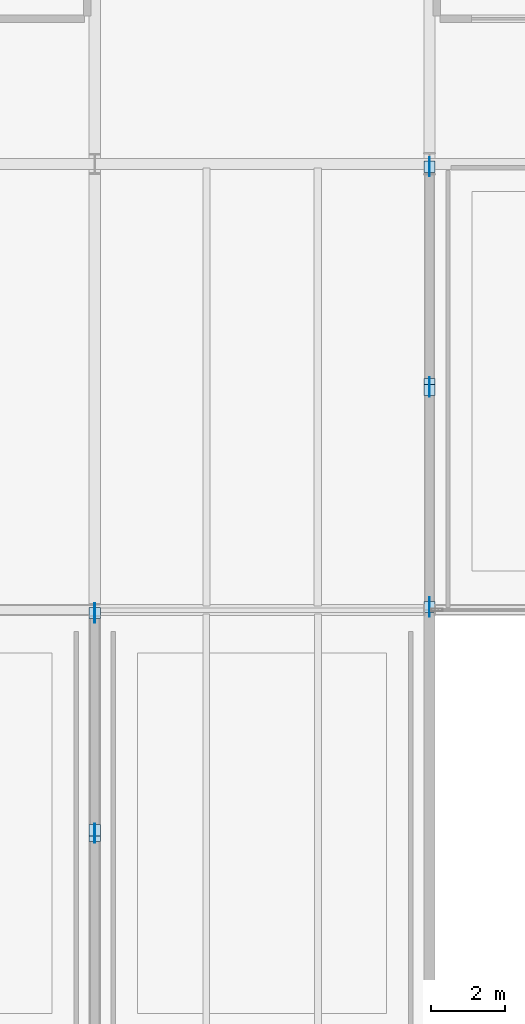
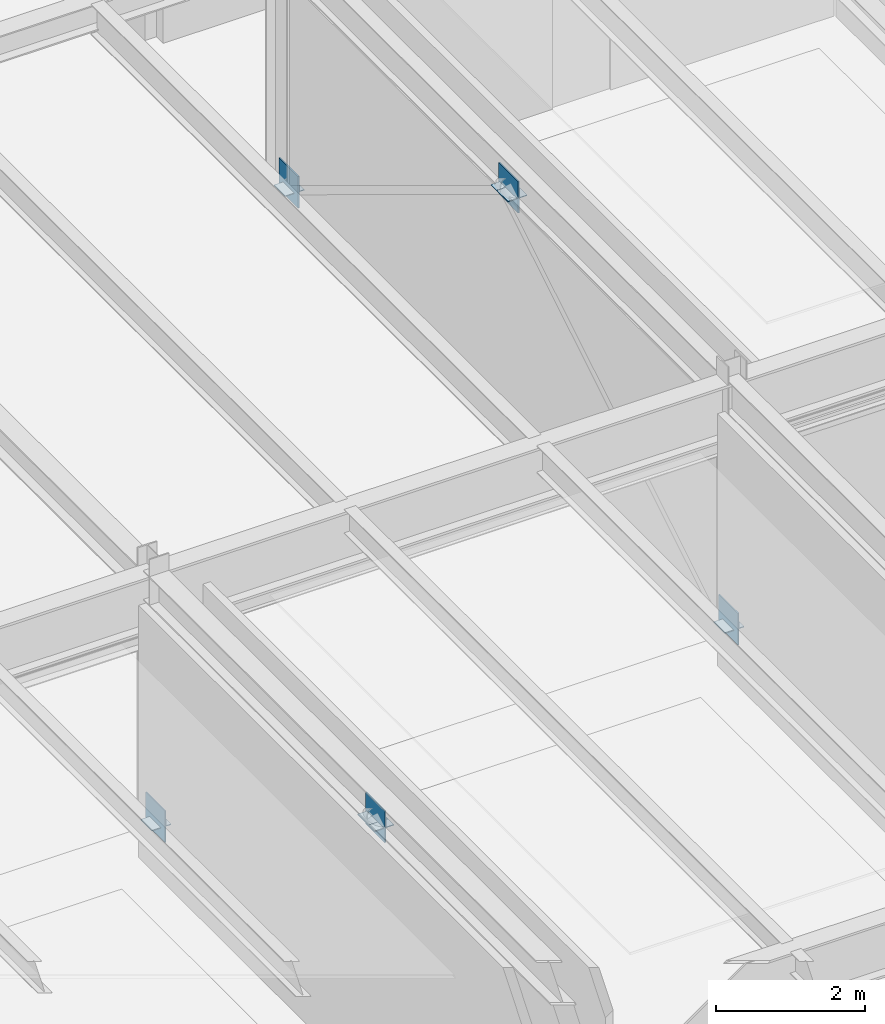
# One storey, part 106 of 127: 12 plates.
"""IFC4 building model written with IfcOpenShell, lengths in metres."""

from ifc_helpers import new_model, si_unit, direction, frame, origin, origin_2d, place, context, subcontext, project, spatial, rectangle, extrude, material, layer, layer_set, type_object, element, save


model = new_model("IFC4")

# Units and contexts
model_context = context("Model", 3, precision=1e-05, world=origin(), true_north=direction((0.0, 1.0)))
body_context = subcontext(model_context, "Body", "Model", "MODEL_VIEW")
ifc_project = project(units=[si_unit("LENGTHUNIT", "METRE"), si_unit("AREAUNIT", "SQUARE_METRE"), si_unit("VOLUMEUNIT", "CUBIC_METRE"), si_unit("PLANEANGLEUNIT", "RADIAN"), si_unit("MASSUNIT", "GRAM", prefix="KILO")], contexts=[model_context])

# Site, building, storey
site_placement = place(None, origin())
site = spatial("IfcSite", under=ifc_project, at=site_placement, CompositionType="ELEMENT")
building_placement = place(site_placement, origin())
building = spatial("IfcBuilding", under=site, at=building_placement, Name="Montelvaro Courts of Justice", CompositionType="ELEMENT")
storey_placement = place(building_placement, frame((0.0, 0.0, 5.39990234375)))
storey = spatial("IfcBuildingStorey", under=building, at=storey_placement, Name="L01", CompositionType="ELEMENT", Elevation=5.39990234375)

# Plates
ifc_material = material(Name="Steel S355", Category="steel")
ifc_layer_1 = layer(ifc_material, 0.011962890625)
ifc_layer_set_1 = layer_set([ifc_layer_1], Name="Steel S355")
plate_type_1 = type_object("IfcPlateType", Name="EndCapPlate_12", PredefinedType="USERDEFINED", material=ifc_layer_set_1)
for number, where, z_axis, x_axis, name in (
    (1, (126.0, 66.080078125, 0.07421875), (0.0, 0.0, 1.0), (1.0, 0.0, 0.0), "Brace End Cap Plate CP-01 CBF3-L01-1A"),
    (2, (126.0, 71.919921875, 3.6240234375), (0.0, 0.0, 1.0), (1.0, 0.0, 0.0), "Brace End Cap Plate CP-01 CBF3-L01-1B"),
    (3, (126.0, 77.919921875, 0.07421875), (0.0, 0.0, 1.0), (1.0, 0.0, 0.0), "Brace End Cap Plate CP-01 CBF3-L01-2A"),
    (4, (126.0, 72.080078125, 3.6240234375), (0.0, 0.0, 1.0), (1.0, 0.0, 0.0), "Brace End Cap Plate CP-01 CBF3-L01-2B"),
    (5, (117.0, 59.919921875, 3.7041015625), (0.0, 0.0, 1.0), (1.0, 0.0, 0.0), "Brace End Cap Plate CP-01 CBF4-L01-1B"),
    (6, (117.0, 65.919921875, 0.07421875), (0.0, 0.0, 1.0), (1.0, 0.0, 0.0), "Brace End Cap Plate CP-01 CBF4-L01-2A"),
    (7, (117.0, 60.080078125, 3.7041015625), (0.0, 0.0, 1.0), (1.0, 0.0, 0.0), "Brace End Cap Plate CP-01 CBF4-L01-2B"),
):
    element("IfcPlate", number, at=place(storey_placement, frame(where, z_axis=z_axis, x_axis=x_axis)), inside=storey, type_object=plate_type_1, Name=name, ObjectType="GUSSET PLATE", PredefinedType="USERDEFINED", context=body_context, shape_type="SweptSolid", body=[
        extrude(rectangle(XDim=0.300048828125, YDim=0.300048828125, at=origin_2d()), origin(), (0.0, 0.0, 1.0), 0.011962890625),
    ])
ifc_layer_2 = layer(ifc_material, 0.02001953125)
ifc_layer_set_2 = layer_set([ifc_layer_2], Name="Steel S355")
plate_type_2 = type_object("IfcPlateType", Name="GussetPlate_20", PredefinedType="USERDEFINED", material=ifc_layer_set_2)
for number, where, z_axis, x_axis, name in (
    (8, (126.0, 66.080078125, -0.099853515625), (0.0, 0.0, 1.0), (1.0, 0.0, 0.0), "Chevron Brace Base Gusset Plate GP-01 CBF3-L01-B1"),
    (9, (126.0, 77.919921875, -0.099853515625), (0.0, 0.0, 1.0), (1.0, 0.0, 0.0), "Chevron Brace Base Gusset Plate GP-01 CBF3-L01-B2"),
    (10, (126.0, 72.0, 3.41015625), (0.0, 0.0, 1.0), (1.0, 0.0, 0.0), "Chevron Brace Gusset Plate GP-01 CBF3-L01"),
    (11, (117.0, 65.919921875, -0.099853515625), (0.0, 0.0, 1.0), (1.0, 0.0, 0.0), "Chevron Brace Base Gusset Plate GP-01 CBF4-L01-B2"),
    (12, (117.0, 60.0, 3.489990234375), (0.0, 0.0, 1.0), (1.0, 0.0, 0.0), "Chevron Brace Gusset Plate GP-01 CBF4-L01"),
):
    element("IfcPlate", number, at=place(storey_placement, frame(where, z_axis=z_axis, x_axis=x_axis)), inside=storey, type_object=plate_type_2, Name=name, ObjectType="GUSSET PLATE", PredefinedType="USERDEFINED", context=body_context, shape_type="SweptSolid", body=[
        extrude(rectangle(XDim=0.02001953125, YDim=0.52001953125, at=origin_2d()), origin(), (0.0, 0.0, 1.0), 0.52001953125),
    ])

save(model, "model.ifc")
